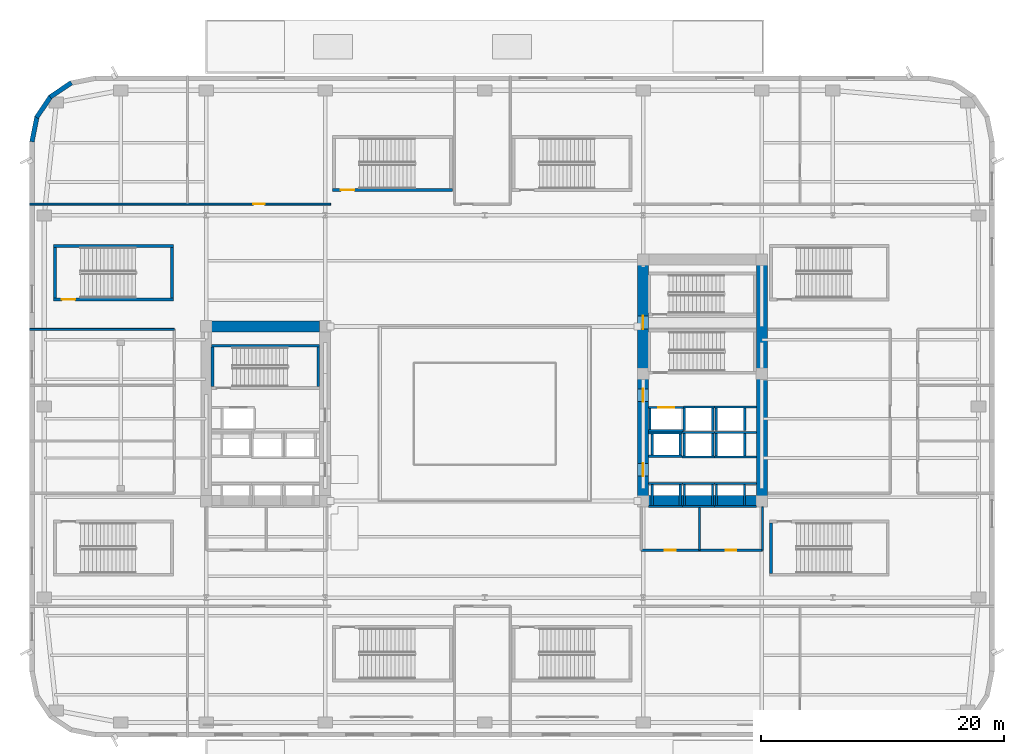
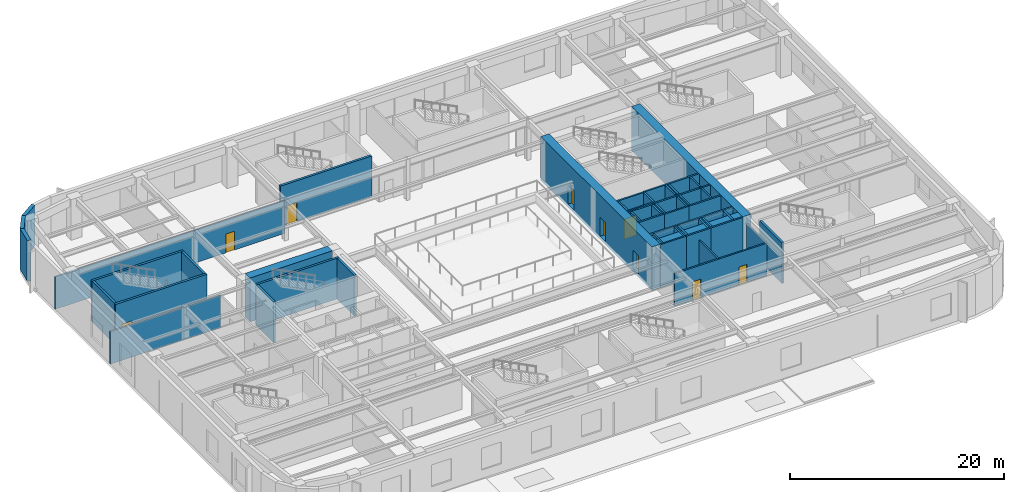
# One storey, part 8 of 24: 54 walls, 9 doors, 9 openings.
"""IFC4 building model written with IfcOpenShell, lengths in metres."""

from ifc_helpers import new_model, si_unit, direction, frame, frame_2d, origin, place, context, subcontext, project, spatial, rectangle, extrude, material, layer, layer_set, type_object, element, fill, save


model = new_model("IFC4")

# Units and contexts
model_context = context("Model", 3, precision=1e-05, world=origin(), true_north=direction((0.0, 1.0)))
body_context = subcontext(model_context, "Body", "Model", "MODEL_VIEW")
ifc_project = project(units=[si_unit("LENGTHUNIT", "METRE"), si_unit("AREAUNIT", "SQUARE_METRE"), si_unit("VOLUMEUNIT", "CUBIC_METRE"), si_unit("PLANEANGLEUNIT", "RADIAN"), si_unit("MASSUNIT", "GRAM", prefix="KILO")], contexts=[model_context])

# Site, building, storey
site_placement = place(None, origin())
site = spatial("IfcSite", under=ifc_project, at=site_placement, CompositionType="ELEMENT")
building_placement = place(site_placement, origin())
building = spatial("IfcBuilding", under=site, at=building_placement, Name="Kolvaren Arena Tower", CompositionType="ELEMENT")
storey_placement = place(building_placement, frame((0.0, 0.0, 8.0)))
storey = spatial("IfcBuildingStorey", under=building, at=storey_placement, Name="L01", CompositionType="ELEMENT", Elevation=8.0)

# Wall
ifc_material_1 = material(Name="Gypsum board acoustic assembly", Category="gypsum")
ifc_layer_1 = layer(ifc_material_1, 0.159912109375)
ifc_layer_set_1 = layer_set([ifc_layer_1], Name="Gypsum board acoustic assembly")
wall_type_1 = type_object("IfcWallType", Name="CORR-160", PredefinedType="PARTITIONING", material=ifc_layer_set_1)
wall_1_placement = place(storey_placement, frame((0.0, 33.60009765625, 0.0), z_axis=(0.0, 0.0, 1.0), x_axis=(1.0, 0.0, 0.0)))
element("IfcWall", 1, at=wall_1_placement, inside=storey, type_object=wall_type_1, Name="Interior Partition Wall (L01)", PredefinedType="PARTITIONING", context=body_context, shape_type="SweptSolid", body=[
    extrude(rectangle(XDim=11.919921875, YDim=0.159912109375, at=frame_2d((5.9599609375, 0.0))), origin(), (0.0, 0.0, 1.0), 3.7099609375),
])

# Wall, opening, door
wall_2_placement = place(storey_placement, frame((0.0, 43.919921875, 0.0), z_axis=(0.0, 0.0, 1.0), x_axis=(1.0, 0.0, 0.0)))
wall_2 = element("IfcWall", 2, at=wall_2_placement, inside=storey, type_object=wall_type_1, Name="Interior Partition Wall (L01)", PredefinedType="PARTITIONING", context=body_context, shape_type="SweptSolid", body=[
    extrude(rectangle(XDim=24.800048828125, YDim=0.159912109375, at=frame_2d((12.39990234375, 0.0))), origin(), (0.0, 0.0, 1.0), 3.7099609375),
])
opening_1_placement = place(wall_2_placement, frame((18.419921875, 0.0, 0.0)))
opening_1 = element("IfcOpeningElement", 3, at=opening_1_placement, cuts=wall_2, Name="Opening D05", PredefinedType="OPENING", context=body_context, shape_type="SweptSolid", body=[
    extrude(rectangle(XDim=0.949951171875, YDim=2.14990234375, at=frame_2d((0.47509765625, 1.074951171875))), frame((0.0, 0.08984375, 0.0), z_axis=(0.0, -1.0, 0.0), x_axis=(1.0, 0.0, 0.0)), (0.0, 0.0, 1.0), 0.179931640625),
])
ifc_material_2 = material(Name="Solid-core oak acoustic office door", Category="wood")
door_type_1 = type_object("IfcDoorType", Name="DOOR-OF-095", OperationType="NOTDEFINED", PredefinedType="DOOR", material=ifc_material_2)
door_1_placement = place(opening_1_placement, origin())
door_1 = element("IfcDoor", 4, at=door_1_placement, inside=storey, type_object=door_type_1, Name="Concourse Kitchen Door (L01)", OperationType="SINGLE_SWING_RIGHT", OverallHeight=2.14990234375, OverallWidth=0.949951171875, PredefinedType="DOOR", context=body_context, shape_type="SweptSolid", body=[
    extrude(rectangle(XDim=0.949951171875, YDim=2.14990234375, at=frame_2d((0.47509765625, 1.074951171875))), frame((0.0, 0.02490234375, 0.0), z_axis=(0.0, -1.0, 0.0), x_axis=(1.0, 0.0, 0.0)), (0.0, 0.0, 1.0), 0.050048828125),
])
fill(opening_1, door_1)

# Wall
ifc_material_3 = material(Name="Concrete 80 MPa", Category="concrete")
ifc_layer_2 = layer(ifc_material_3, 0.89990234375)
ifc_layer_set_2 = layer_set([ifc_layer_2], Name="Concrete 80 MPa")
wall_type_2 = type_object("IfcWallType", Name="CWALL-900", PredefinedType="SHEAR", material=ifc_layer_set_2)
wall_3_placement = place(storey_placement, frame((15.0, 33.85009765625, -0.35009765625), z_axis=(0.0, 0.0, 1.0), x_axis=(1.0, 0.0, 0.0)))
element("IfcWall", 5, at=wall_3_placement, inside=storey, type_object=wall_type_2, Name="Core Shear Wall WC-NORTH (L01)", PredefinedType="SHEAR", context=body_context, shape_type="SweptSolid", body=[
    extrude(rectangle(XDim=8.89990234375, YDim=0.89990234375, at=frame_2d((4.449951171875, 0.0))), origin(), (0.0, 0.0, 1.0), 5.0),
])

# Wall, openings, doors
wall_4_placement = place(storey_placement, frame((50.550048828125, 19.0, -0.35009765625), z_axis=(0.0, 0.0, 1.0), x_axis=(0.0, 1.0, 0.0)))
wall_4 = element("IfcWall", 6, at=wall_4_placement, inside=storey, type_object=wall_type_2, Name="Core Shear Wall EC-WEST (L01)", PredefinedType="SHEAR", context=body_context, shape_type="SweptSolid", body=[
    extrude(rectangle(XDim=20.800048828125, YDim=0.89990234375, at=frame_2d((10.39990234375, 0.0))), origin(), (0.0, 0.0, 1.0), 5.0),
])
opening_2_placement = place(wall_4_placement, frame((2.5, 0.0, 0.35009765625)))
opening_2 = element("IfcOpeningElement", 7, at=opening_2_placement, cuts=wall_4, Name="Opening D04", PredefinedType="OPENING", context=body_context, shape_type="SweptSolid", body=[
    extrude(rectangle(XDim=1.050048828125, YDim=2.14990234375, at=frame_2d((0.52490234375, 1.074951171875))), frame((0.0, 0.4599609375, 0.0), z_axis=(0.0, -1.0, 0.0), x_axis=(1.0, 0.0, 0.0)), (0.0, 0.0, 1.0), 0.919921875),
])
opening_3_placement = place(wall_4_placement, frame((8.64990234375, 0.0, 0.35009765625)))
opening_3 = element("IfcOpeningElement", 8, at=opening_3_placement, cuts=wall_4, Name="Opening D04", PredefinedType="OPENING", context=body_context, shape_type="SweptSolid", body=[
    extrude(rectangle(XDim=1.050048828125, YDim=2.14990234375, at=frame_2d((0.52490234375, 1.074951171875))), frame((0.0, 0.4599609375, 0.0), z_axis=(0.0, -1.0, 0.0), x_axis=(1.0, 0.0, 0.0)), (0.0, 0.0, 1.0), 0.919921875),
])
opening_4_placement = place(wall_4_placement, frame((14.6201171875, 0.0, 0.35009765625)))
opening_4 = element("IfcOpeningElement", 9, at=opening_4_placement, cuts=wall_4, Name="Opening D03", PredefinedType="OPENING", context=body_context, shape_type="SweptSolid", body=[
    extrude(rectangle(XDim=1.10009765625, YDim=2.14990234375, at=frame_2d((0.550048828125, 1.074951171875))), frame((0.0, 0.4599609375, 0.0), z_axis=(0.0, -1.0, 0.0), x_axis=(1.0, 0.0, 0.0)), (0.0, 0.0, 1.0), 0.919921875),
])
ifc_material_4 = material(Name="Fire-rated steel lobby door", Category="steel")
door_type_2 = type_object("IfcDoorType", Name="DOOR-FF-105", OperationType="NOTDEFINED", PredefinedType="DOOR", material=ifc_material_4)
door_2_placement = place(opening_2_placement, origin())
door_2 = element("IfcDoor", 10, at=door_2_placement, inside=storey, type_object=door_type_2, Name="East Lift Lobby Fire Door (L01)", OperationType="SINGLE_SWING_RIGHT", OverallHeight=2.14990234375, OverallWidth=1.050048828125, PredefinedType="DOOR", context=body_context, shape_type="SweptSolid", body=[
    extrude(rectangle(XDim=1.050048828125, YDim=2.14990234375, at=frame_2d((0.52490234375, 1.074951171875))), frame((0.0, 0.02490234375, 0.0), z_axis=(0.0, -1.0, 0.0), x_axis=(1.0, 0.0, 0.0)), (0.0, 0.0, 1.0), 0.050048828125),
])
fill(opening_2, door_2)
door_3_placement = place(opening_3_placement, origin())
door_3 = element("IfcDoor", 11, at=door_3_placement, inside=storey, type_object=door_type_2, Name="East Firefighter Vestibule Door (L01)", OperationType="SINGLE_SWING_LEFT", OverallHeight=2.14990234375, OverallWidth=1.050048828125, PredefinedType="DOOR", context=body_context, shape_type="SweptSolid", body=[
    extrude(rectangle(XDim=1.050048828125, YDim=2.14990234375, at=frame_2d((0.52490234375, 1.074951171875))), frame((0.0, 0.02490234375, 0.0), z_axis=(0.0, -1.0, 0.0), x_axis=(1.0, 0.0, 0.0)), (0.0, 0.0, 1.0), 0.050048828125),
])
fill(opening_3, door_3)
ifc_material_5 = material(Name="Fire-rated steel exit stair door", Category="steel")
door_type_3 = type_object("IfcDoorType", Name="DOOR-ST-110", OperationType="NOTDEFINED", PredefinedType="DOOR", material=ifc_material_5)
door_4_placement = place(opening_4_placement, origin())
door_4 = element("IfcDoor", 12, at=door_4_placement, inside=storey, type_object=door_type_3, Name="Stair ST-E2 Vestibule Fire Door (L01)", OperationType="SINGLE_SWING_LEFT", OverallHeight=2.14990234375, OverallWidth=1.10009765625, PredefinedType="DOOR", context=body_context, shape_type="SweptSolid", body=[
    extrude(rectangle(XDim=1.10009765625, YDim=2.14990234375, at=frame_2d((0.550048828125, 1.074951171875))), frame((0.0, 0.02490234375, 0.0), z_axis=(0.0, -1.0, 0.0), x_axis=(1.0, 0.0, 0.0)), (0.0, 0.0, 1.0), 0.050048828125),
])
fill(opening_4, door_4)

# Walls
wall_5_placement = place(storey_placement, frame((60.35009765625, 19.0, -0.35009765625), z_axis=(0.0, 0.0, 1.0), x_axis=(0.0, 1.0, 0.0)))
element("IfcWall", 13, at=wall_5_placement, inside=storey, type_object=wall_type_2, Name="Core Shear Wall EC-EAST (L01)", PredefinedType="SHEAR", context=body_context, shape_type="SweptSolid", body=[
    extrude(rectangle(XDim=20.800048828125, YDim=0.89990234375, at=frame_2d((10.39990234375, 0.0))), origin(), (0.0, 0.0, 1.0), 5.0),
])
wall_6_placement = place(storey_placement, frame((51.0, 19.449951171875, -0.35009765625), z_axis=(0.0, 0.0, 1.0), x_axis=(1.0, 0.0, 0.0)))
element("IfcWall", 14, at=wall_6_placement, inside=storey, type_object=wall_type_2, Name="Core Shear Wall EC-SOUTH (L01)", PredefinedType="SHEAR", context=body_context, shape_type="SweptSolid", body=[
    extrude(rectangle(XDim=8.89990234375, YDim=0.89990234375, at=frame_2d((4.449951171875, 0.0))), origin(), (0.0, 0.0, 1.0), 5.0),
])
ifc_material_6 = material(Name="Precast concrete C50/60", Category="concrete")
ifc_layer_3 = layer(ifc_material_6, 0.3798828125)
ifc_layer_set_3 = layer_set([ifc_layer_3], Name="Precast concrete C50/60")
wall_type_3 = type_object("IfcWallType", Name="EXT-ARENA", PredefinedType="SOLIDWALL", material=ifc_layer_set_3)
for number, where, z_axis, x_axis, name in (
    (15, (1.687255859375, 52.760498046875, 0.0), (0.0, 0.0, 1.0), (0.831515102434, 0.555502146192, 0.0), "Exterior Precast Masonry-Frame Wall (L01)"),
    (16, (0.569091796875, 51.060791015625, 0.0), (0.0, 0.0, 1.0), (0.555502146192, 0.831515102434, 0.0), "Exterior Precast Masonry-Frame Wall (L01)"),
    (17, (0.186279296875, 49.06298828125, 0.0), (0.0, 0.0, 1.0), (0.195135546048, 0.9807762837, 0.0), "Exterior Precast Masonry-Frame Wall (L01)"),
):
    element("IfcWall", number, at=place(storey_placement, frame(where, z_axis=z_axis, x_axis=x_axis)), inside=storey, type_object=wall_type_3, Name=name, PredefinedType="SOLIDWALL", context=body_context, shape_type="SweptSolid", body=[
        extrude(rectangle(XDim=2.10693359375, YDim=0.3798828125, at=frame_2d((1.053466796875, 0.0))), origin(), (0.0, 0.0, 1.0), 4.64990234375),
    ])
ifc_material_7 = material(Name="Concrete 45 MPa", Category="concrete")
ifc_layer_4 = layer(ifc_material_7, 0.25)
ifc_layer_set_4 = layer_set([ifc_layer_4], Name="Concrete 45 MPa")
wall_type_4 = type_object("IfcWallType", Name="SHAFT-250", PredefinedType="SOLIDWALL", material=ifc_layer_set_4)
wall_7_placement = place(storey_placement, frame((61.080078125, 13.5, 0.0), z_axis=(0.0, 0.0, 1.0), x_axis=(0.0, 1.0, 0.0)))
element("IfcWall", 18, at=wall_7_placement, inside=storey, type_object=wall_type_4, Name="Stair ST-A4 West Shaft Wall (L01)", PredefinedType="SOLIDWALL", context=body_context, shape_type="SweptSolid", body=[
    extrude(rectangle(XDim=4.14990234375, YDim=0.239990234375, at=frame_2d((2.074951171875, 0.0))), origin(), (0.0, 0.0, 1.0), 4.64990234375),
])

# Wall, opening, door
wall_8_placement = place(storey_placement, frame((11.840087890625, 36.080078125, 0.0), z_axis=(0.0, 0.0, 1.0), x_axis=(-1.0, 0.0, 0.0)))
wall_8 = element("IfcWall", 19, at=wall_8_placement, inside=storey, type_object=wall_type_4, Name="Stair ST-A5 Rated Enclosure Wall (L01)", PredefinedType="SOLIDWALL", context=body_context, shape_type="SweptSolid", body=[
    extrude(rectangle(XDim=9.880126953125, YDim=0.239990234375, at=frame_2d((4.93994140625, 0.0))), origin(), (0.0, 0.0, 1.0), 4.64990234375),
])
opening_5_placement = place(wall_8_placement, frame((8.090087890625, 0.0, 0.0)))
opening_5 = element("IfcOpeningElement", 20, at=opening_5_placement, cuts=wall_8, Name="Opening D03", PredefinedType="OPENING", context=body_context, shape_type="SweptSolid", body=[
    extrude(rectangle(XDim=1.10009765625, YDim=2.14990234375, at=frame_2d((0.550048828125, 1.074951171875))), frame((0.0, 0.1298828125, 0.0), z_axis=(0.0, -1.0, 0.0), x_axis=(1.0, 0.0, 0.0)), (0.0, 0.0, 1.0), 0.260009765625),
])
door_5_placement = place(opening_5_placement, origin())
door_5 = element("IfcDoor", 21, at=door_5_placement, inside=storey, type_object=door_type_3, Name="Exit Stair ST-A5 Fire Door (L01)", OperationType="SINGLE_SWING_RIGHT", OverallHeight=2.14990234375, OverallWidth=1.10009765625, PredefinedType="DOOR", context=body_context, shape_type="SweptSolid", body=[
    extrude(rectangle(XDim=1.10009765625, YDim=2.14990234375, at=frame_2d((0.550048828125, 1.074951171875))), frame((0.0, 0.02490234375, 0.0), z_axis=(0.0, -1.0, 0.0), x_axis=(1.0, 0.0, 0.0)), (0.0, 0.0, 1.0), 0.050048828125),
])
fill(opening_5, door_5)

# Walls
wall_9_placement = place(storey_placement, frame((1.9599609375, 40.469970703125, 0.0), z_axis=(0.0, 0.0, 1.0), x_axis=(1.0, 0.0, 0.0)))
element("IfcWall", 22, at=wall_9_placement, inside=storey, type_object=wall_type_4, Name="Stair ST-A5 Rear Shaft Wall (L01)", PredefinedType="SOLIDWALL", context=body_context, shape_type="SweptSolid", body=[
    extrude(rectangle(XDim=9.880126953125, YDim=0.239990234375, at=frame_2d((4.93994140625, 0.0))), origin(), (0.0, 0.0, 1.0), 4.64990234375),
])
for number, where, z_axis, x_axis, name in (
    (23, (2.080078125, 36.199951171875, 0.0), (0.0, 0.0, 1.0), (0.0, 1.0, 0.0), "Stair ST-A5 West Shaft Wall (L01)"),
    (24, (11.719970703125, 36.199951171875, 0.0), (0.0, 0.0, 1.0), (0.0, 1.0, 0.0), "Stair ST-A5 East Shaft Wall (L01)"),
):
    element("IfcWall", number, at=place(storey_placement, frame(where, z_axis=z_axis, x_axis=x_axis)), inside=storey, type_object=wall_type_4, Name=name, PredefinedType="SOLIDWALL", context=body_context, shape_type="SweptSolid", body=[
        extrude(rectangle(XDim=4.150146484375, YDim=0.239990234375, at=frame_2d((2.0751953125, 0.0))), origin(), (0.0, 0.0, 1.0), 4.64990234375),
    ])

# Wall, opening, door
wall_10_placement = place(storey_placement, frame((34.840087890625, 45.080078125, 0.0), z_axis=(0.0, 0.0, 1.0), x_axis=(-1.0, 0.0, 0.0)))
wall_10 = element("IfcWall", 25, at=wall_10_placement, inside=storey, type_object=wall_type_4, Name="Stair ST-A6 Rated Enclosure Wall (L01)", PredefinedType="SOLIDWALL", context=body_context, shape_type="SweptSolid", body=[
    extrude(rectangle(XDim=9.880126953125, YDim=0.239990234375, at=frame_2d((4.93994140625, 0.0))), origin(), (0.0, 0.0, 1.0), 4.64990234375),
])
opening_6_placement = place(wall_10_placement, frame((8.090087890625, 0.0, 0.0)))
opening_6 = element("IfcOpeningElement", 26, at=opening_6_placement, cuts=wall_10, Name="Opening D03", PredefinedType="OPENING", context=body_context, shape_type="SweptSolid", body=[
    extrude(rectangle(XDim=1.10009765625, YDim=2.14990234375, at=frame_2d((0.550048828125, 1.074951171875))), frame((0.0, 0.1298828125, 0.0), z_axis=(0.0, -1.0, 0.0), x_axis=(1.0, 0.0, 0.0)), (0.0, 0.0, 1.0), 0.260009765625),
])
door_6_placement = place(opening_6_placement, origin())
door_6 = element("IfcDoor", 27, at=door_6_placement, inside=storey, type_object=door_type_3, Name="Exit Stair ST-A6 Fire Door (L01)", OperationType="SINGLE_SWING_RIGHT", OverallHeight=2.14990234375, OverallWidth=1.10009765625, PredefinedType="DOOR", context=body_context, shape_type="SweptSolid", body=[
    extrude(rectangle(XDim=1.10009765625, YDim=2.14990234375, at=frame_2d((0.550048828125, 1.074951171875))), frame((0.0, 0.02490234375, 0.0), z_axis=(0.0, -1.0, 0.0), x_axis=(1.0, 0.0, 0.0)), (0.0, 0.0, 1.0), 0.050048828125),
])
fill(opening_6, door_6)

# Walls
wall_11_placement = place(storey_placement, frame((15.0, 32.25, 0.0), z_axis=(0.0, 0.0, 1.0), x_axis=(1.0, 0.0, 0.0)))
element("IfcWall", 28, at=wall_11_placement, inside=storey, type_object=wall_type_4, Name="Core Shaft Wall (L01)", PredefinedType="SOLIDWALL", context=body_context, shape_type="SweptSolid", body=[
    extrude(rectangle(XDim=8.89990234375, YDim=0.239990234375, at=frame_2d((4.449951171875, 0.0))), origin(), (0.0, 0.0, 1.0), 4.64990234375),
])
for number, where, z_axis, x_axis, name in (
    (29, (15.06005859375, 28.89990234375, 0.0), (0.0, 0.0, 1.0), (0.0, 1.0, 0.0), "Core Shaft Wall (L01)"),
    (30, (23.780029296875, 28.89990234375, 0.0), (0.0, 0.0, 1.0), (0.0, 1.0, 0.0), "Core Shaft Wall (L01)"),
):
    element("IfcWall", number, at=place(storey_placement, frame(where, z_axis=z_axis, x_axis=x_axis)), inside=storey, type_object=wall_type_4, Name=name, PredefinedType="SOLIDWALL", context=body_context, shape_type="SweptSolid", body=[
        extrude(rectangle(XDim=3.22998046875, YDim=0.239990234375, at=frame_2d((1.614990234375, 0.0))), origin(), (0.0, 0.0, 1.0), 4.64990234375),
    ])
for number, where, z_axis, x_axis, name in (
    (31, (51.0, 20.905029296875, 0.0), (0.0, 0.0, 1.0), (1.0, 0.0, 0.0), "Core Shaft Wall (L01)"),
    (32, (51.0, 18.9951171875, 0.0), (0.0, 0.0, 1.0), (1.0, 0.0, 0.0), "Core Shaft Wall (L01)"),
):
    element("IfcWall", number, at=place(storey_placement, frame(where, z_axis=z_axis, x_axis=x_axis)), inside=storey, type_object=wall_type_4, Name=name, PredefinedType="SOLIDWALL", context=body_context, shape_type="SweptSolid", body=[
        extrude(rectangle(XDim=2.7900390625, YDim=0.179931640625, at=frame_2d((1.39501953125, 0.0))), origin(), (0.0, 0.0, 1.0), 4.64990234375),
    ])
for number, where, z_axis, x_axis, name in (
    (33, (51.304931640625, 19.0849609375, 0.0), (0.0, 0.0, 1.0), (0.0, 1.0, 0.0), "Core Shaft Wall (L01)"),
    (34, (53.614990234375, 19.0849609375, 0.0), (0.0, 0.0, 1.0), (0.0, 1.0, 0.0), "Core Shaft Wall (L01)"),
):
    element("IfcWall", number, at=place(storey_placement, frame(where, z_axis=z_axis, x_axis=x_axis)), inside=storey, type_object=wall_type_4, Name=name, PredefinedType="SOLIDWALL", context=body_context, shape_type="SweptSolid", body=[
        extrude(rectangle(XDim=1.72998046875, YDim=0.179931640625, at=frame_2d((0.864990234375, 0.0))), origin(), (0.0, 0.0, 1.0), 4.64990234375),
    ])
for number, where, z_axis, x_axis, name in (
    (35, (53.7900390625, 20.905029296875, 0.0), (0.0, 0.0, 1.0), (1.0, 0.0, 0.0), "Core Shaft Wall (L01)"),
    (36, (53.7900390625, 18.9951171875, 0.0), (0.0, 0.0, 1.0), (1.0, 0.0, 0.0), "Core Shaft Wall (L01)"),
):
    element("IfcWall", number, at=place(storey_placement, frame(where, z_axis=z_axis, x_axis=x_axis)), inside=storey, type_object=wall_type_4, Name=name, PredefinedType="SOLIDWALL", context=body_context, shape_type="SweptSolid", body=[
        extrude(rectangle(XDim=2.64990234375, YDim=0.179931640625, at=frame_2d((1.324951171875, 0.0))), origin(), (0.0, 0.0, 1.0), 4.64990234375),
    ])
for number, where, z_axis, x_axis, name in (
    (37, (53.965087890625, 19.0849609375, 0.0), (0.0, 0.0, 1.0), (0.0, 1.0, 0.0), "Core Shaft Wall (L01)"),
    (38, (56.27490234375, 19.0849609375, 0.0), (0.0, 0.0, 1.0), (0.0, 1.0, 0.0), "Core Shaft Wall (L01)"),
):
    element("IfcWall", number, at=place(storey_placement, frame(where, z_axis=z_axis, x_axis=x_axis)), inside=storey, type_object=wall_type_4, Name=name, PredefinedType="SOLIDWALL", context=body_context, shape_type="SweptSolid", body=[
        extrude(rectangle(XDim=1.72998046875, YDim=0.179931640625, at=frame_2d((0.864990234375, 0.0))), origin(), (0.0, 0.0, 1.0), 4.64990234375),
    ])
for number, where, z_axis, x_axis, name in (
    (39, (56.43994140625, 20.905029296875, 0.0), (0.0, 0.0, 1.0), (1.0, 0.0, 0.0), "Core Shaft Wall (L01)"),
    (40, (56.43994140625, 18.9951171875, 0.0), (0.0, 0.0, 1.0), (1.0, 0.0, 0.0), "Core Shaft Wall (L01)"),
):
    element("IfcWall", number, at=place(storey_placement, frame(where, z_axis=z_axis, x_axis=x_axis)), inside=storey, type_object=wall_type_4, Name=name, PredefinedType="SOLIDWALL", context=body_context, shape_type="SweptSolid", body=[
        extrude(rectangle(XDim=3.4599609375, YDim=0.179931640625, at=frame_2d((1.72998046875, 0.0))), origin(), (0.0, 0.0, 1.0), 4.64990234375),
    ])
for number, where, z_axis, x_axis, name in (
    (41, (56.60498046875, 19.0849609375, 0.0), (0.0, 0.0, 1.0), (0.0, 1.0, 0.0), "Core Shaft Wall (L01)"),
    (42, (58.9150390625, 19.0849609375, 0.0), (0.0, 0.0, 1.0), (0.0, 1.0, 0.0), "Core Shaft Wall (L01)"),
):
    element("IfcWall", number, at=place(storey_placement, frame(where, z_axis=z_axis, x_axis=x_axis)), inside=storey, type_object=wall_type_4, Name=name, PredefinedType="SOLIDWALL", context=body_context, shape_type="SweptSolid", body=[
        extrude(rectangle(XDim=1.72998046875, YDim=0.179931640625, at=frame_2d((0.864990234375, 0.0))), origin(), (0.0, 0.0, 1.0), 4.64990234375),
    ])
for number, where, z_axis, x_axis, name in (
    (43, (51.0, 25.054931640625, 0.0), (0.0, 0.0, 1.0), (1.0, 0.0, 0.0), "Core Shaft Wall (L01)"),
    (44, (51.0, 23.14501953125, 0.0), (0.0, 0.0, 1.0), (1.0, 0.0, 0.0), "Core Shaft Wall (L01)"),
):
    element("IfcWall", number, at=place(storey_placement, frame(where, z_axis=z_axis, x_axis=x_axis)), inside=storey, type_object=wall_type_4, Name=name, PredefinedType="SOLIDWALL", context=body_context, shape_type="SweptSolid", body=[
        extrude(rectangle(XDim=2.777587890625, YDim=0.179931640625, at=frame_2d((1.388671875, 0.0))), origin(), (0.0, 0.0, 1.0), 4.64990234375),
    ])
for number, where, z_axis, x_axis, name in (
    (45, (51.304931640625, 23.235107421875, 0.0), (0.0, 0.0, 1.0), (0.0, 1.0, 0.0), "Core Shaft Wall (L01)"),
    (46, (53.614990234375, 23.235107421875, 0.0), (0.0, 0.0, 1.0), (0.0, 1.0, 0.0), "Core Shaft Wall (L01)"),
):
    element("IfcWall", number, at=place(storey_placement, frame(where, z_axis=z_axis, x_axis=x_axis)), inside=storey, type_object=wall_type_4, Name=name, PredefinedType="SOLIDWALL", context=body_context, shape_type="SweptSolid", body=[
        extrude(rectangle(XDim=1.72998046875, YDim=0.179931640625, at=frame_2d((0.864990234375, 0.0))), origin(), (0.0, 0.0, 1.0), 4.64990234375),
    ])
for number, where, z_axis, x_axis, name in (
    (47, (53.777587890625, 25.10498046875, 0.0), (0.0, 0.0, 1.0), (1.0, 0.0, 0.0), "Core Shaft Wall (L01)"),
    (48, (53.777587890625, 23.094970703125, 0.0), (0.0, 0.0, 1.0), (1.0, 0.0, 0.0), "Core Shaft Wall (L01)"),
):
    element("IfcWall", number, at=place(storey_placement, frame(where, z_axis=z_axis, x_axis=x_axis)), inside=storey, type_object=wall_type_4, Name=name, PredefinedType="SOLIDWALL", context=body_context, shape_type="SweptSolid", body=[
        extrude(rectangle(XDim=2.662353515625, YDim=0.179931640625, at=frame_2d((1.3310546875, 0.0))), origin(), (0.0, 0.0, 1.0), 4.64990234375),
    ])
for number, where, z_axis, x_axis, name in (
    (49, (53.93994140625, 23.18505859375, 0.0), (0.0, 0.0, 1.0), (0.0, 1.0, 0.0), "Core Shaft Wall (L01)"),
    (50, (56.300048828125, 23.18505859375, 0.0), (0.0, 0.0, 1.0), (0.0, 1.0, 0.0), "Core Shaft Wall (L01)"),
):
    element("IfcWall", number, at=place(storey_placement, frame(where, z_axis=z_axis, x_axis=x_axis)), inside=storey, type_object=wall_type_4, Name=name, PredefinedType="SOLIDWALL", context=body_context, shape_type="SweptSolid", body=[
        extrude(rectangle(XDim=1.829833984375, YDim=0.179931640625, at=frame_2d((0.9150390625, 0.0))), origin(), (0.0, 0.0, 1.0), 4.64990234375),
    ])
for number, where, z_axis, x_axis, name in (
    (51, (56.43994140625, 25.10498046875, 0.0), (0.0, 0.0, 1.0), (1.0, 0.0, 0.0), "Core Shaft Wall (L01)"),
    (52, (56.43994140625, 23.094970703125, 0.0), (0.0, 0.0, 1.0), (1.0, 0.0, 0.0), "Core Shaft Wall (L01)"),
):
    element("IfcWall", number, at=place(storey_placement, frame(where, z_axis=z_axis, x_axis=x_axis)), inside=storey, type_object=wall_type_4, Name=name, PredefinedType="SOLIDWALL", context=body_context, shape_type="SweptSolid", body=[
        extrude(rectangle(XDim=3.4599609375, YDim=0.179931640625, at=frame_2d((1.72998046875, 0.0))), origin(), (0.0, 0.0, 1.0), 4.64990234375),
    ])
for number, where, z_axis, x_axis, name in (
    (53, (56.580078125, 23.18505859375, 0.0), (0.0, 0.0, 1.0), (0.0, 1.0, 0.0), "Core Shaft Wall (L01)"),
    (54, (58.93994140625, 23.18505859375, 0.0), (0.0, 0.0, 1.0), (0.0, 1.0, 0.0), "Core Shaft Wall (L01)"),
):
    element("IfcWall", number, at=place(storey_placement, frame(where, z_axis=z_axis, x_axis=x_axis)), inside=storey, type_object=wall_type_4, Name=name, PredefinedType="SOLIDWALL", context=body_context, shape_type="SweptSolid", body=[
        extrude(rectangle(XDim=1.829833984375, YDim=0.179931640625, at=frame_2d((0.9150390625, 0.0))), origin(), (0.0, 0.0, 1.0), 4.64990234375),
    ])
wall_12_placement = place(storey_placement, frame((53.864990234375, 27.205078125, 0.0), z_axis=(0.0, 0.0, 1.0), x_axis=(1.0, 0.0, 0.0)))
element("IfcWall", 55, at=wall_12_placement, inside=storey, type_object=wall_type_4, Name="Core Shaft Wall (L01)", PredefinedType="SOLIDWALL", context=body_context, shape_type="SweptSolid", body=[
    extrude(rectangle(XDim=2.574951171875, YDim=0.179931640625, at=frame_2d((1.28759765625, 0.0))), origin(), (0.0, 0.0, 1.0), 4.64990234375),
])
for number, where, z_axis, x_axis, name in (
    (56, (53.93994140625, 25.284912109375, 0.0), (0.0, 0.0, 1.0), (0.0, 1.0, 0.0), "Core Shaft Wall (L01)"),
    (57, (56.300048828125, 25.284912109375, 0.0), (0.0, 0.0, 1.0), (0.0, 1.0, 0.0), "Core Shaft Wall (L01)"),
):
    element("IfcWall", number, at=place(storey_placement, frame(where, z_axis=z_axis, x_axis=x_axis)), inside=storey, type_object=wall_type_4, Name=name, PredefinedType="SOLIDWALL", context=body_context, shape_type="SweptSolid", body=[
        extrude(rectangle(XDim=1.830078125, YDim=0.179931640625, at=frame_2d((0.9150390625, 0.0))), origin(), (0.0, 0.0, 1.0), 4.64990234375),
    ])
wall_13_placement = place(storey_placement, frame((56.43994140625, 27.205078125, 0.0), z_axis=(0.0, 0.0, 1.0), x_axis=(1.0, 0.0, 0.0)))
element("IfcWall", 58, at=wall_13_placement, inside=storey, type_object=wall_type_4, Name="Core Shaft Wall (L01)", PredefinedType="SOLIDWALL", context=body_context, shape_type="SweptSolid", body=[
    extrude(rectangle(XDim=3.4599609375, YDim=0.179931640625, at=frame_2d((1.72998046875, 0.0))), origin(), (0.0, 0.0, 1.0), 4.64990234375),
])
for number, where, z_axis, x_axis, name in (
    (59, (56.580078125, 25.284912109375, 0.0), (0.0, 0.0, 1.0), (0.0, 1.0, 0.0), "Core Shaft Wall (L01)"),
    (60, (58.93994140625, 25.284912109375, 0.0), (0.0, 0.0, 1.0), (0.0, 1.0, 0.0), "Core Shaft Wall (L01)"),
):
    element("IfcWall", number, at=place(storey_placement, frame(where, z_axis=z_axis, x_axis=x_axis)), inside=storey, type_object=wall_type_4, Name=name, PredefinedType="SOLIDWALL", context=body_context, shape_type="SweptSolid", body=[
        extrude(rectangle(XDim=1.830078125, YDim=0.179931640625, at=frame_2d((0.9150390625, 0.0))), origin(), (0.0, 0.0, 1.0), 4.64990234375),
    ])

# Wall, opening, door
wall_14_placement = place(storey_placement, frame((51.0, 27.155029296875, 0.0), z_axis=(0.0, 0.0, 1.0), x_axis=(1.0, 0.0, 0.0)))
wall_14 = element("IfcWall", 61, at=wall_14_placement, inside=storey, type_object=wall_type_4, Name="Core Shaft Wall (L01)", PredefinedType="SOLIDWALL", context=body_context, shape_type="SweptSolid", body=[
    extrude(rectangle(XDim=2.864990234375, YDim=0.179931640625, at=frame_2d((1.4326171875, 0.0))), origin(), (0.0, 0.0, 1.0), 4.64990234375),
])
opening_7_placement = place(wall_14_placement, frame((0.784912109375, 0.0, 0.0)))
opening_7 = element("IfcOpeningElement", 62, at=opening_7_placement, cuts=wall_14, Name="Opening LD2", PredefinedType="OPENING", context=body_context, shape_type="SweptSolid", body=[
    extrude(rectangle(XDim=1.35009765625, YDim=2.300048828125, at=frame_2d((0.675048828125, 1.14990234375))), frame((0.0, 0.099853515625, 0.0), z_axis=(0.0, -1.0, 0.0), x_axis=(1.0, 0.0, 0.0)), (0.0, 0.0, 1.0), 0.199951171875),
])
ifc_material_8 = material(Name="Stainless steel firefighter lift landing door", Category="steel")
door_type_4 = type_object("IfcDoorType", Name="DOOR-LD-135", OperationType="DOUBLE_DOOR_SLIDING", PredefinedType="DOOR", material=ifc_material_8)
door_7_placement = place(opening_7_placement, origin())
door_7 = element("IfcDoor", 63, at=door_7_placement, inside=storey, type_object=door_type_4, Name="Firefighter Lift FF-E1 Landing Door (L01)", OperationType="DOUBLE_DOOR_SLIDING", OverallHeight=2.300048828125, OverallWidth=1.35009765625, PredefinedType="DOOR", context=body_context, shape_type="SweptSolid", body=[
    extrude(rectangle(XDim=1.35009765625, YDim=2.300048828125, at=frame_2d((0.675048828125, 1.14990234375))), frame((0.0, 0.02490234375, 0.0), z_axis=(0.0, -1.0, 0.0), x_axis=(1.0, 0.0, 0.0)), (0.0, 0.0, 1.0), 0.050048828125),
])
fill(opening_7, door_7)

# Walls
wall_15_placement = place(storey_placement, frame((51.0, 25.2451171875, 0.0), z_axis=(0.0, 0.0, 1.0), x_axis=(1.0, 0.0, 0.0)))
element("IfcWall", 64, at=wall_15_placement, inside=storey, type_object=wall_type_4, Name="Core Shaft Wall (L01)", PredefinedType="SOLIDWALL", context=body_context, shape_type="SweptSolid", body=[
    extrude(rectangle(XDim=2.864990234375, YDim=0.179931640625, at=frame_2d((1.4326171875, 0.0))), origin(), (0.0, 0.0, 1.0), 4.64990234375),
])
wall_16_placement = place(storey_placement, frame((51.1298828125, 25.3349609375, 0.0), z_axis=(0.0, 0.0, 1.0), x_axis=(0.0, 1.0, 0.0)))
element("IfcWall", 65, at=wall_16_placement, inside=storey, type_object=wall_type_4, Name="Core Shaft Wall (L01)", PredefinedType="SOLIDWALL", context=body_context, shape_type="SweptSolid", body=[
    extrude(rectangle(XDim=1.72998046875, YDim=0.179931640625, at=frame_2d((0.864990234375, 0.0))), origin(), (0.0, 0.0, 1.0), 4.64990234375),
])

# Wall, openings, doors
wall_17_placement = place(storey_placement, frame((50.39990234375, 15.39990234375, 0.0), z_axis=(0.0, 0.0, 1.0), x_axis=(1.0, 0.0, 0.0)))
wall_17 = element("IfcWall", 66, at=wall_17_placement, inside=storey, type_object=wall_type_4, Name="Interior Partition Wall (L01)", PredefinedType="SOLIDWALL", context=body_context, shape_type="SweptSolid", body=[
    extrude(rectangle(XDim=10.0, YDim=0.179931640625, at=frame_2d((5.0, 0.0))), origin(), (0.0, 0.0, 1.0), 3.7099609375),
])
opening_8_placement = place(wall_17_placement, frame((1.93994140625, 0.0, 0.0)))
opening_8 = element("IfcOpeningElement", 67, at=opening_8_placement, cuts=wall_17, Name="Opening D07", PredefinedType="OPENING", context=body_context, shape_type="SweptSolid", body=[
    extrude(rectangle(XDim=0.919921875, YDim=2.10009765625, at=frame_2d((0.4599609375, 1.050048828125))), frame((0.0, 0.099853515625, 0.0), z_axis=(0.0, -1.0, 0.0), x_axis=(1.0, 0.0, 0.0)), (0.0, 0.0, 1.0), 0.199951171875),
])
opening_9_placement = place(wall_17_placement, frame((6.969970703125, 0.0, 0.0)))
opening_9 = element("IfcOpeningElement", 68, at=opening_9_placement, cuts=wall_17, Name="Opening D09", PredefinedType="OPENING", context=body_context, shape_type="SweptSolid", body=[
    extrude(rectangle(XDim=0.860107421875, YDim=2.050048828125, at=frame_2d((0.43017578125, 1.02490234375))), frame((0.0, 0.099853515625, 0.0), z_axis=(0.0, -1.0, 0.0), x_axis=(1.0, 0.0, 0.0)), (0.0, 0.0, 1.0), 0.199951171875),
])
ifc_material_9 = material(Name="Fire-rated steel riser access door", Category="steel")
door_type_5 = type_object("IfcDoorType", Name="DOOR-RS-086", OperationType="NOTDEFINED", PredefinedType="DOOR", material=ifc_material_9)
door_8_placement = place(opening_9_placement, origin())
door_8 = element("IfcDoor", 69, at=door_8_placement, inside=storey, type_object=door_type_5, Name="Electrical Riser Closet Door (L01)", OperationType="SINGLE_SWING_RIGHT", OverallHeight=2.050048828125, OverallWidth=0.860107421875, PredefinedType="DOOR", context=body_context, shape_type="SweptSolid", body=[
    extrude(rectangle(XDim=0.860107421875, YDim=2.050048828125, at=frame_2d((0.43017578125, 1.02490234375))), frame((0.0, 0.02490234375, 0.0), z_axis=(0.0, -1.0, 0.0), x_axis=(1.0, 0.0, 0.0)), (0.0, 0.0, 1.0), 0.050048828125),
])
fill(opening_9, door_8)
ifc_material_10 = material(Name="Laminate universal washroom door", Category="wood")
door_type_6 = type_object("IfcDoorType", Name="DOOR-WC-092", OperationType="NOTDEFINED", PredefinedType="DOOR", material=ifc_material_10)
door_9_placement = place(opening_8_placement, origin())
door_9 = element("IfcDoor", 70, at=door_9_placement, inside=storey, type_object=door_type_6, Name="Cleaner and Janitor Store Door (L01)", OperationType="SINGLE_SWING_LEFT", OverallHeight=2.10009765625, OverallWidth=0.919921875, PredefinedType="DOOR", context=body_context, shape_type="SweptSolid", body=[
    extrude(rectangle(XDim=0.919921875, YDim=2.10009765625, at=frame_2d((0.4599609375, 1.050048828125))), frame((0.0, 0.02490234375, 0.0), z_axis=(0.0, -1.0, 0.0), x_axis=(1.0, 0.0, 0.0)), (0.0, 0.0, 1.0), 0.050048828125),
])
fill(opening_8, door_9)

# Walls
ifc_material_11 = material(Name="Moisture-resistant gypsum assembly", Category="gypsum")
ifc_layer_5 = layer(ifc_material_11, 0.14990234375)
ifc_layer_set_5 = layer_set([ifc_layer_5], Name="Moisture-resistant gypsum assembly")
wall_type_5 = type_object("IfcWallType", Name="WETW-150", PredefinedType="PARTITIONING", material=ifc_layer_set_5)
for number, where, z_axis, x_axis, name in (
    (71, (55.199951171875, 15.39990234375, 0.0), (0.0, 0.0, 1.0), (0.0, 1.0, 0.0), "Interior Partition Wall (L01)"),
    (72, (60.39990234375, 15.39990234375, 0.0), (0.0, 0.0, 1.0), (0.0, 1.0, 0.0), "Interior Partition Wall (L01)"),
):
    element("IfcWall", number, at=place(storey_placement, frame(where, z_axis=z_axis, x_axis=x_axis)), inside=storey, type_object=wall_type_5, Name=name, PredefinedType="PARTITIONING", context=body_context, shape_type="SweptSolid", body=[
        extrude(rectangle(XDim=3.580078125, YDim=0.14990234375, at=frame_2d((1.7900390625, 0.0))), origin(), (0.0, 0.0, 1.0), 3.7099609375),
    ])

save(model, "model.ifc")
